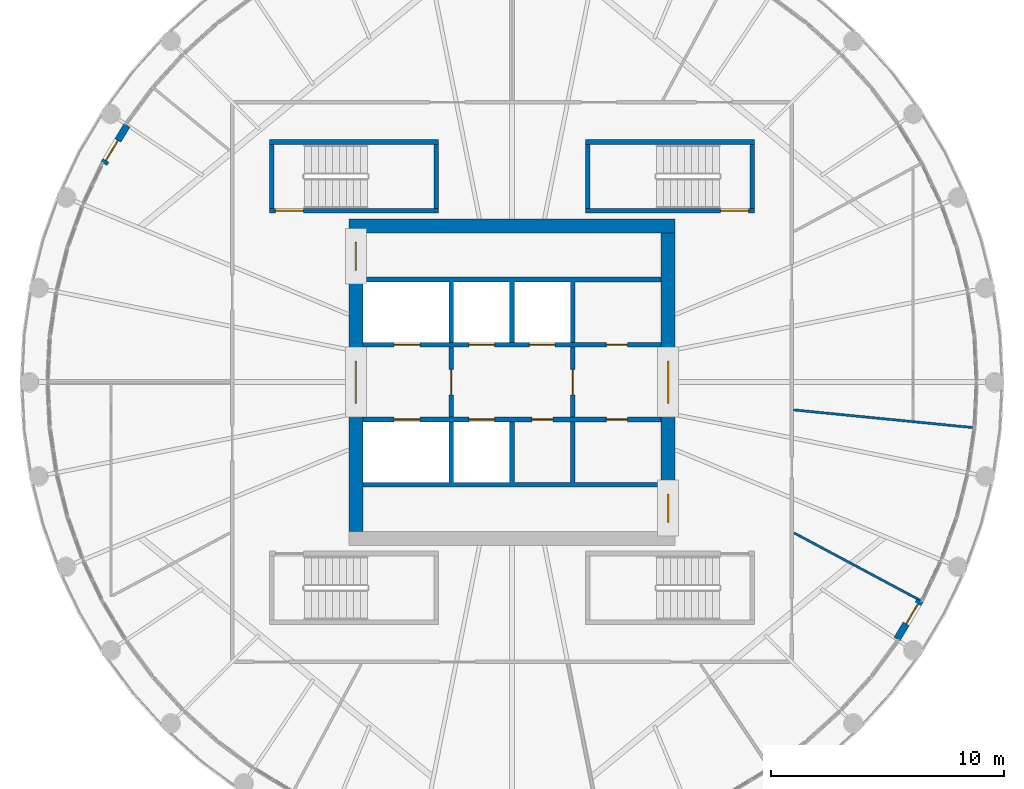
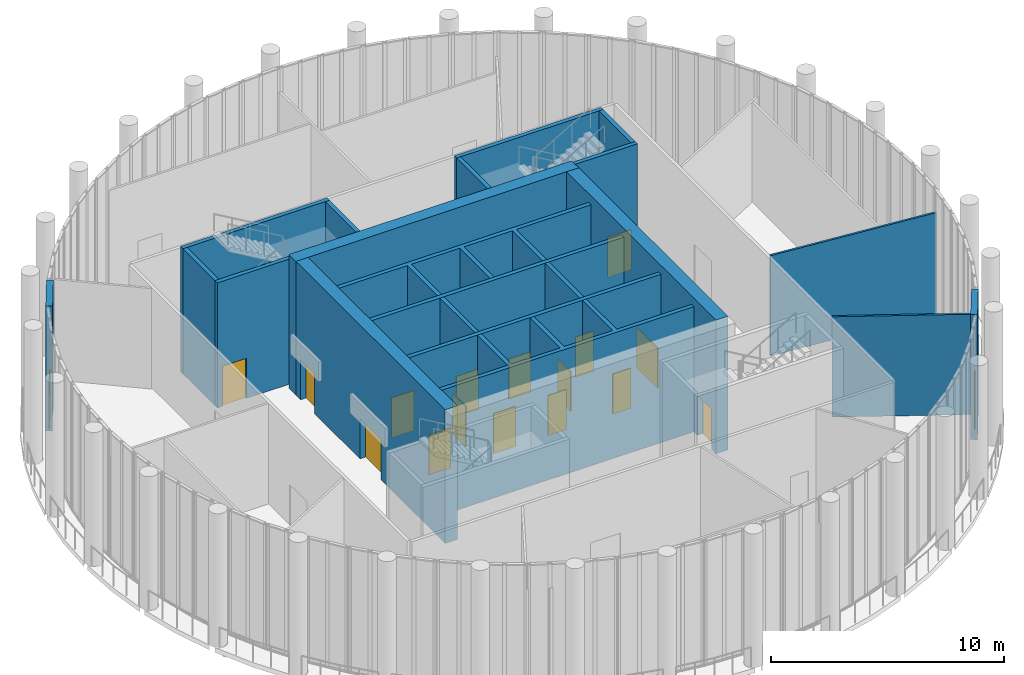
# One storey, part 16 of 21: 21 walls, 18 doors, 18 openings.
"""IFC4 building model written with IfcOpenShell, lengths in metres."""

from ifc_helpers import new_model, si_unit, direction, frame, frame_2d, origin, place, context, subcontext, project, spatial, polyline, rectangle, outline, extrude, material, layer, layer_set, type_object, element, fill, save


model = new_model("IFC4")

# Units and contexts
model_context = context("Model", 3, precision=1e-05, world=origin(), true_north=direction((0.0, 1.0)))
body_context = subcontext(model_context, "Body", "Model", "MODEL_VIEW")
ifc_project = project(units=[si_unit("LENGTHUNIT", "METRE"), si_unit("AREAUNIT", "SQUARE_METRE"), si_unit("VOLUMEUNIT", "CUBIC_METRE"), si_unit("PLANEANGLEUNIT", "RADIAN"), si_unit("MASSUNIT", "GRAM", prefix="KILO")], contexts=[model_context])

# Site, building, storey
site_placement = place(None, origin())
site = spatial("IfcSite", under=ifc_project, at=site_placement, CompositionType="ELEMENT")
building_placement = place(site_placement, origin())
building = spatial("IfcBuilding", under=site, at=building_placement, Name="Corvane Civic Tower", CompositionType="ELEMENT")
storey_placement = place(building_placement, frame((0.0, 0.0, 380.5)))
storey = spatial("IfcBuildingStorey", under=building, at=storey_placement, Name="L91", CompositionType="ELEMENT", Elevation=380.5)

# Wall
ifc_material_1 = material(Name="Concrete C40/50", Category="concrete")
ifc_layer_1 = layer(ifc_material_1, 0.60009765625)
ifc_layer_set_1 = layer_set([ifc_layer_1], Name="Concrete C40/50")
wall_type_1 = type_object("IfcWallType", Name="CORE WALL 600 C40/50", PredefinedType="SHEAR", material=ifc_layer_set_1)
wall_1_placement = place(storey_placement, frame((-7.0, 6.699951171875, 0.0), z_axis=(0.0, 0.0, 1.0), x_axis=(1.0, 0.0, 0.0)))
element("IfcWall", 1, at=wall_1_placement, inside=storey, type_object=wall_type_1, Name="W-L91-core-N", PredefinedType="SHEAR", context=body_context, shape_type="SweptSolid", body=[
    extrude(rectangle(XDim=14.0, YDim=0.60009765625, at=frame_2d((7.0, 0.0))), origin(), (0.0, 0.0, 1.0), 7.0),
])

# Wall, openings, doors
wall_2_placement = place(storey_placement, frame((6.699951171875, -6.39990234375, 0.0), z_axis=(0.0, 0.0, 1.0), x_axis=(0.0, 1.0, 0.0)))
wall_2 = element("IfcWall", 2, at=wall_2_placement, inside=storey, type_object=wall_type_1, Name="W-L91-core-E", PredefinedType="SHEAR", context=body_context, shape_type="SweptSolid", body=[
    extrude(rectangle(XDim=12.7998046875, YDim=0.60009765625, at=frame_2d((6.39990234375, 0.0))), origin(), (0.0, 0.0, 1.0), 7.0),
])
opening_1_placement = place(wall_2_placement, frame((5.5, 0.0, 0.0)))
opening_1 = element("IfcOpeningElement", 3, at=opening_1_placement, cuts=wall_2, Name="Opening L91.C11", PredefinedType="OPENING", context=body_context, shape_type="SweptSolid", body=[
    extrude(rectangle(XDim=1.800048828125, YDim=2.10009765625, at=frame_2d((0.89990234375, 1.050048828125))), frame((0.0, 0.31005859375, 0.0), z_axis=(0.0, -1.0, 0.0), x_axis=(1.0, 0.0, 0.0)), (0.0, 0.0, 1.0), 0.6201171875),
])
opening_2_placement = place(wall_2_placement, frame((0.39990234375, 0.0, 0.0)))
opening_2 = element("IfcOpeningElement", 4, at=opening_2_placement, cuts=wall_2, Name="Opening L91.C13", PredefinedType="OPENING", context=body_context, shape_type="SweptSolid", body=[
    extrude(rectangle(XDim=1.199951171875, YDim=2.10009765625, at=frame_2d((0.60009765625, 1.050048828125))), frame((0.0, 0.31005859375, 0.0), z_axis=(0.0, -1.0, 0.0), x_axis=(1.0, 0.0, 0.0)), (0.0, 0.0, 1.0), 0.6201171875),
])
ifc_material_2 = material(Name="Steel fire door leaf", Category="steel")
door_type_1 = type_object("IfcDoorType", Name="CR-DOOR-CORE-1800", OperationType="DOUBLE_DOOR_SINGLE_SWING", PredefinedType="DOOR", material=ifc_material_2)
door_1_placement = place(opening_1_placement, origin())
door_1 = element("IfcDoor", 5, at=door_1_placement, inside=storey, type_object=door_type_1, Name="L91 door", OperationType="DOUBLE_DOOR_SINGLE_SWING", OverallHeight=2.10009765625, OverallWidth=1.800048828125, PredefinedType="DOOR", context=body_context, shape_type="SweptSolid", body=[
    extrude(rectangle(XDim=1.800048828125, YDim=2.10009765625, at=frame_2d((0.89990234375, 1.050048828125))), frame((0.0, 0.02490234375, 0.0), z_axis=(0.0, -1.0, 0.0), x_axis=(1.0, 0.0, 0.0)), (0.0, 0.0, 1.0), 0.050048828125),
])
fill(opening_1, door_1)
door_2_placement = place(opening_2_placement, origin())
door_2 = element("IfcDoor", 6, at=door_2_placement, inside=storey, type_object=door_type_1, Name="L91 door", OperationType="DOUBLE_DOOR_SINGLE_SWING", OverallHeight=2.10009765625, OverallWidth=1.199951171875, PredefinedType="DOOR", context=body_context, shape_type="SweptSolid", body=[
    extrude(rectangle(XDim=1.199951171875, YDim=2.10009765625, at=frame_2d((0.60009765625, 1.050048828125))), frame((0.0, 0.02490234375, 0.0), z_axis=(0.0, -1.0, 0.0), x_axis=(1.0, 0.0, 0.0)), (0.0, 0.0, 1.0), 0.050048828125),
])
fill(opening_2, door_2)

wall_3_placement = place(storey_placement, frame((-6.699951171875, -6.39990234375, 0.0), z_axis=(0.0, 0.0, 1.0), x_axis=(0.0, 1.0, 0.0)))
wall_3 = element("IfcWall", 7, at=wall_3_placement, inside=storey, type_object=wall_type_1, Name="W-L91-core-W", PredefinedType="SHEAR", context=body_context, shape_type="SweptSolid", body=[
    extrude(rectangle(XDim=12.7998046875, YDim=0.60009765625, at=frame_2d((6.39990234375, 0.0))), origin(), (0.0, 0.0, 1.0), 7.0),
])
opening_3_placement = place(wall_3_placement, frame((5.5, 0.0, 0.0)))
opening_3 = element("IfcOpeningElement", 8, at=opening_3_placement, cuts=wall_3, Name="Opening L91.C10", PredefinedType="OPENING", context=body_context, shape_type="SweptSolid", body=[
    extrude(rectangle(XDim=1.800048828125, YDim=2.10009765625, at=frame_2d((0.89990234375, 1.050048828125))), frame((0.0, 0.31005859375, 0.0), z_axis=(0.0, -1.0, 0.0), x_axis=(1.0, 0.0, 0.0)), (0.0, 0.0, 1.0), 0.6201171875),
])
opening_4_placement = place(wall_3_placement, frame((11.199951171875, 0.0, 0.0)))
opening_4 = element("IfcOpeningElement", 9, at=opening_4_placement, cuts=wall_3, Name="Opening L91.C12", PredefinedType="OPENING", context=body_context, shape_type="SweptSolid", body=[
    extrude(rectangle(XDim=1.199951171875, YDim=2.10009765625, at=frame_2d((0.60009765625, 1.050048828125))), frame((0.0, 0.31005859375, 0.0), z_axis=(0.0, -1.0, 0.0), x_axis=(1.0, 0.0, 0.0)), (0.0, 0.0, 1.0), 0.6201171875),
])
door_3_placement = place(opening_3_placement, origin())
door_3 = element("IfcDoor", 10, at=door_3_placement, inside=storey, type_object=door_type_1, Name="L91 door", OperationType="DOUBLE_DOOR_SINGLE_SWING", OverallHeight=2.10009765625, OverallWidth=1.800048828125, PredefinedType="DOOR", context=body_context, shape_type="SweptSolid", body=[
    extrude(rectangle(XDim=1.800048828125, YDim=2.10009765625, at=frame_2d((0.89990234375, 1.050048828125))), frame((0.0, 0.02490234375, 0.0), z_axis=(0.0, -1.0, 0.0), x_axis=(1.0, 0.0, 0.0)), (0.0, 0.0, 1.0), 0.050048828125),
])
fill(opening_3, door_3)
door_4_placement = place(opening_4_placement, origin())
door_4 = element("IfcDoor", 11, at=door_4_placement, inside=storey, type_object=door_type_1, Name="L91 door", OperationType="DOUBLE_DOOR_SINGLE_SWING", OverallHeight=2.10009765625, OverallWidth=1.199951171875, PredefinedType="DOOR", context=body_context, shape_type="SweptSolid", body=[
    extrude(rectangle(XDim=1.199951171875, YDim=2.10009765625, at=frame_2d((0.60009765625, 1.050048828125))), frame((0.0, 0.02490234375, 0.0), z_axis=(0.0, -1.0, 0.0), x_axis=(1.0, 0.0, 0.0)), (0.0, 0.0, 1.0), 0.050048828125),
])
fill(opening_4, door_4)

ifc_material_3 = material(Name="Concrete C30/37", Category="concrete")
ifc_layer_2 = layer(ifc_material_3, 0.199951171875)
ifc_layer_set_2 = layer_set([ifc_layer_2], Name="Concrete C30/37")
wall_type_2 = type_object("IfcWallType", Name="CR-WALL-200", PredefinedType="PARTITIONING", material=ifc_layer_set_2)
wall_4_placement = place(storey_placement, frame((-6.39990234375, -1.60009765625, 0.0), z_axis=(0.0, 0.0, 1.0), x_axis=(1.0, 0.0, 0.0)))
wall_4 = element("IfcWall", 12, at=wall_4_placement, inside=storey, type_object=wall_type_2, Name="L91 lift shaft wall", PredefinedType="PARTITIONING", context=body_context, shape_type="SweptSolid", body=[
    extrude(rectangle(XDim=12.7998046875, YDim=0.199951171875, at=frame_2d((6.39990234375, 0.0))), origin(), (0.0, 0.0, 1.0), 6.550048828125),
])
opening_5_placement = place(wall_4_placement, frame((1.35009765625, 0.0, 0.0)))
opening_5 = element("IfcOpeningElement", 13, at=opening_5_placement, cuts=wall_4, Name="Opening LD", PredefinedType="OPENING", context=body_context, shape_type="SweptSolid", body=[
    extrude(rectangle(XDim=1.10009765625, YDim=2.10009765625, at=frame_2d((0.550048828125, 1.050048828125))), frame((0.0, 0.10986328125, 0.0), z_axis=(0.0, -1.0, 0.0), x_axis=(1.0, 0.0, 0.0)), (0.0, 0.0, 1.0), 0.219970703125),
])
opening_6_placement = place(wall_4_placement, frame((4.550048828125, 0.0, 0.0)))
opening_6 = element("IfcOpeningElement", 14, at=opening_6_placement, cuts=wall_4, Name="Opening LD", PredefinedType="OPENING", context=body_context, shape_type="SweptSolid", body=[
    extrude(rectangle(XDim=1.10009765625, YDim=2.10009765625, at=frame_2d((0.550048828125, 1.050048828125))), frame((0.0, 0.10986328125, 0.0), z_axis=(0.0, -1.0, 0.0), x_axis=(1.0, 0.0, 0.0)), (0.0, 0.0, 1.0), 0.219970703125),
])
opening_7_placement = place(wall_4_placement, frame((7.25, 0.0, 0.0)))
opening_7 = element("IfcOpeningElement", 15, at=opening_7_placement, cuts=wall_4, Name="Opening L91.C02", PredefinedType="OPENING", context=body_context, shape_type="SweptSolid", body=[
    extrude(rectangle(XDim=0.89990234375, YDim=2.10009765625, at=frame_2d((0.449951171875, 1.050048828125))), frame((0.0, 0.10986328125, 0.0), z_axis=(0.0, -1.0, 0.0), x_axis=(1.0, 0.0, 0.0)), (0.0, 0.0, 1.0), 0.219970703125),
])
opening_8_placement = place(wall_4_placement, frame((10.449951171875, 0.0, 0.0)))
opening_8 = element("IfcOpeningElement", 16, at=opening_8_placement, cuts=wall_4, Name="Opening L91.C03", PredefinedType="OPENING", context=body_context, shape_type="SweptSolid", body=[
    extrude(rectangle(XDim=0.89990234375, YDim=2.10009765625, at=frame_2d((0.449951171875, 1.050048828125))), frame((0.0, 0.10986328125, 0.0), z_axis=(0.0, -1.0, 0.0), x_axis=(1.0, 0.0, 0.0)), (0.0, 0.0, 1.0), 0.219970703125),
])
ifc_material_4 = material(Name="Steel fire door leaf", Category="steel")
door_type_2 = type_object("IfcDoorType", Name="CR-DOOR-900", OperationType="SINGLE_SWING_LEFT", PredefinedType="DOOR", material=ifc_material_4)
door_5_placement = place(opening_7_placement, origin())
door_5 = element("IfcDoor", 17, at=door_5_placement, inside=storey, type_object=door_type_2, Name="L91 door", OperationType="SINGLE_SWING_LEFT", OverallHeight=2.10009765625, OverallWidth=0.89990234375, PredefinedType="DOOR", context=body_context, shape_type="SweptSolid", body=[
    extrude(rectangle(XDim=0.89990234375, YDim=2.10009765625, at=frame_2d((0.449951171875, 1.050048828125))), frame((0.0, 0.02490234375, 0.0), z_axis=(0.0, -1.0, 0.0), x_axis=(1.0, 0.0, 0.0)), (0.0, 0.0, 1.0), 0.050048828125),
])
fill(opening_7, door_5)
door_6_placement = place(opening_8_placement, origin())
door_6 = element("IfcDoor", 18, at=door_6_placement, inside=storey, type_object=door_type_2, Name="L91 door", OperationType="SINGLE_SWING_LEFT", OverallHeight=2.10009765625, OverallWidth=0.89990234375, PredefinedType="DOOR", context=body_context, shape_type="SweptSolid", body=[
    extrude(rectangle(XDim=0.89990234375, YDim=2.10009765625, at=frame_2d((0.449951171875, 1.050048828125))), frame((0.0, 0.02490234375, 0.0), z_axis=(0.0, -1.0, 0.0), x_axis=(1.0, 0.0, 0.0)), (0.0, 0.0, 1.0), 0.050048828125),
])
fill(opening_8, door_6)
ifc_material_5 = material(Name="Stainless steel 316 door leaves", Category="steel")
door_type_3 = type_object("IfcDoorType", Name="LD", OperationType="DOUBLE_DOOR_SLIDING", PredefinedType="DOOR", material=ifc_material_5)
door_7_placement = place(opening_5_placement, origin())
door_7 = element("IfcDoor", 19, at=door_7_placement, inside=storey, type_object=door_type_3, Name="L91 landing door", OperationType="DOUBLE_DOOR_SLIDING", OverallHeight=2.10009765625, OverallWidth=1.10009765625, PredefinedType="DOOR", context=body_context, shape_type="SweptSolid", body=[
    extrude(rectangle(XDim=1.10009765625, YDim=2.10009765625, at=frame_2d((0.550048828125, 1.050048828125))), frame((0.0, 0.02490234375, 0.0), z_axis=(0.0, -1.0, 0.0), x_axis=(1.0, 0.0, 0.0)), (0.0, 0.0, 1.0), 0.050048828125),
])
fill(opening_5, door_7)
door_8_placement = place(opening_6_placement, origin())
door_8 = element("IfcDoor", 20, at=door_8_placement, inside=storey, type_object=door_type_3, Name="L91 landing door", OperationType="DOUBLE_DOOR_SLIDING", OverallHeight=2.10009765625, OverallWidth=1.10009765625, PredefinedType="DOOR", context=body_context, shape_type="SweptSolid", body=[
    extrude(rectangle(XDim=1.10009765625, YDim=2.10009765625, at=frame_2d((0.550048828125, 1.050048828125))), frame((0.0, 0.02490234375, 0.0), z_axis=(0.0, -1.0, 0.0), x_axis=(1.0, 0.0, 0.0)), (0.0, 0.0, 1.0), 0.050048828125),
])
fill(opening_6, door_8)

wall_5_placement = place(storey_placement, frame((-6.39990234375, 1.60009765625, 0.0), z_axis=(0.0, 0.0, 1.0), x_axis=(1.0, 0.0, 0.0)))
wall_5 = element("IfcWall", 21, at=wall_5_placement, inside=storey, type_object=wall_type_2, Name="L91 lift shaft wall", PredefinedType="PARTITIONING", context=body_context, shape_type="SweptSolid", body=[
    extrude(rectangle(XDim=12.7998046875, YDim=0.199951171875, at=frame_2d((6.39990234375, 0.0))), origin(), (0.0, 0.0, 1.0), 6.550048828125),
])
opening_9_placement = place(wall_5_placement, frame((1.35009765625, 0.0, 0.0)))
opening_9 = element("IfcOpeningElement", 22, at=opening_9_placement, cuts=wall_5, Name="Opening LD", PredefinedType="OPENING", context=body_context, shape_type="SweptSolid", body=[
    extrude(rectangle(XDim=1.10009765625, YDim=2.10009765625, at=frame_2d((0.550048828125, 1.050048828125))), frame((0.0, 0.10986328125, 0.0), z_axis=(0.0, -1.0, 0.0), x_axis=(1.0, 0.0, 0.0)), (0.0, 0.0, 1.0), 0.219970703125),
])
opening_10_placement = place(wall_5_placement, frame((4.550048828125, 0.0, 0.0)))
opening_10 = element("IfcOpeningElement", 23, at=opening_10_placement, cuts=wall_5, Name="Opening LD", PredefinedType="OPENING", context=body_context, shape_type="SweptSolid", body=[
    extrude(rectangle(XDim=1.10009765625, YDim=2.10009765625, at=frame_2d((0.550048828125, 1.050048828125))), frame((0.0, 0.10986328125, 0.0), z_axis=(0.0, -1.0, 0.0), x_axis=(1.0, 0.0, 0.0)), (0.0, 0.0, 1.0), 0.219970703125),
])
opening_11_placement = place(wall_5_placement, frame((7.14990234375, 0.0, 0.0)))
opening_11 = element("IfcOpeningElement", 24, at=opening_11_placement, cuts=wall_5, Name="Opening LD", PredefinedType="OPENING", context=body_context, shape_type="SweptSolid", body=[
    extrude(rectangle(XDim=1.10009765625, YDim=2.10009765625, at=frame_2d((0.550048828125, 1.050048828125))), frame((0.0, 0.10986328125, 0.0), z_axis=(0.0, -1.0, 0.0), x_axis=(1.0, 0.0, 0.0)), (0.0, 0.0, 1.0), 0.219970703125),
])
opening_12_placement = place(wall_5_placement, frame((10.449951171875, 0.0, 0.0)))
opening_12 = element("IfcOpeningElement", 25, at=opening_12_placement, cuts=wall_5, Name="Opening L91.C01", PredefinedType="OPENING", context=body_context, shape_type="SweptSolid", body=[
    extrude(rectangle(XDim=0.89990234375, YDim=2.10009765625, at=frame_2d((0.449951171875, 1.050048828125))), frame((0.0, 0.10986328125, 0.0), z_axis=(0.0, -1.0, 0.0), x_axis=(1.0, 0.0, 0.0)), (0.0, 0.0, 1.0), 0.219970703125),
])
door_9_placement = place(opening_12_placement, origin())
door_9 = element("IfcDoor", 26, at=door_9_placement, inside=storey, type_object=door_type_2, Name="L91 door", OperationType="SINGLE_SWING_LEFT", OverallHeight=2.10009765625, OverallWidth=0.89990234375, PredefinedType="DOOR", context=body_context, shape_type="SweptSolid", body=[
    extrude(rectangle(XDim=0.89990234375, YDim=2.10009765625, at=frame_2d((0.449951171875, 1.050048828125))), frame((0.0, 0.02490234375, 0.0), z_axis=(0.0, -1.0, 0.0), x_axis=(1.0, 0.0, 0.0)), (0.0, 0.0, 1.0), 0.050048828125),
])
fill(opening_12, door_9)
door_10_placement = place(opening_9_placement, origin())
door_10 = element("IfcDoor", 27, at=door_10_placement, inside=storey, type_object=door_type_3, Name="L91 landing door", OperationType="DOUBLE_DOOR_SLIDING", OverallHeight=2.10009765625, OverallWidth=1.10009765625, PredefinedType="DOOR", context=body_context, shape_type="SweptSolid", body=[
    extrude(rectangle(XDim=1.10009765625, YDim=2.10009765625, at=frame_2d((0.550048828125, 1.050048828125))), frame((0.0, 0.02490234375, 0.0), z_axis=(0.0, -1.0, 0.0), x_axis=(1.0, 0.0, 0.0)), (0.0, 0.0, 1.0), 0.050048828125),
])
fill(opening_9, door_10)
door_11_placement = place(opening_10_placement, origin())
door_11 = element("IfcDoor", 28, at=door_11_placement, inside=storey, type_object=door_type_3, Name="L91 landing door", OperationType="DOUBLE_DOOR_SLIDING", OverallHeight=2.10009765625, OverallWidth=1.10009765625, PredefinedType="DOOR", context=body_context, shape_type="SweptSolid", body=[
    extrude(rectangle(XDim=1.10009765625, YDim=2.10009765625, at=frame_2d((0.550048828125, 1.050048828125))), frame((0.0, 0.02490234375, 0.0), z_axis=(0.0, -1.0, 0.0), x_axis=(1.0, 0.0, 0.0)), (0.0, 0.0, 1.0), 0.050048828125),
])
fill(opening_10, door_11)
door_12_placement = place(opening_11_placement, origin())
door_12 = element("IfcDoor", 29, at=door_12_placement, inside=storey, type_object=door_type_3, Name="L91 landing door", OperationType="DOUBLE_DOOR_SLIDING", OverallHeight=2.10009765625, OverallWidth=1.10009765625, PredefinedType="DOOR", context=body_context, shape_type="SweptSolid", body=[
    extrude(rectangle(XDim=1.10009765625, YDim=2.10009765625, at=frame_2d((0.550048828125, 1.050048828125))), frame((0.0, 0.02490234375, 0.0), z_axis=(0.0, -1.0, 0.0), x_axis=(1.0, 0.0, 0.0)), (0.0, 0.0, 1.0), 0.050048828125),
])
fill(opening_11, door_12)

# Wall, opening, door
wall_6_placement = place(storey_placement, frame((-2.60009765625, -1.5, 0.0), z_axis=(0.0, 0.0, 1.0), x_axis=(0.0, 1.0, 0.0)))
wall_6 = element("IfcWall", 30, at=wall_6_placement, inside=storey, type_object=wall_type_2, Name="L91 firefighting lobby wall", PredefinedType="PARTITIONING", context=body_context, shape_type="SweptSolid", body=[
    extrude(rectangle(XDim=3.0, YDim=0.199951171875, at=frame_2d((1.5, 0.0))), origin(), (0.0, 0.0, 1.0), 6.550048828125),
])
opening_13_placement = place(wall_6_placement, frame((0.949951171875, 0.0, 0.0)))
opening_13 = element("IfcOpeningElement", 31, at=opening_13_placement, cuts=wall_6, Name="Opening L91.C08", PredefinedType="OPENING", context=body_context, shape_type="SweptSolid", body=[
    extrude(rectangle(XDim=1.10009765625, YDim=2.10009765625, at=frame_2d((0.550048828125, 1.050048828125))), frame((0.0, 0.10986328125, 0.0), z_axis=(0.0, -1.0, 0.0), x_axis=(1.0, 0.0, 0.0)), (0.0, 0.0, 1.0), 0.219970703125),
])
ifc_material_6 = material(Name="Steel fire door leaf", Category="steel")
door_type_4 = type_object("IfcDoorType", Name="CR-DOOR-FFL-1100", OperationType="SINGLE_SWING_LEFT", PredefinedType="DOOR", material=ifc_material_6)
door_13_placement = place(opening_13_placement, origin())
door_13 = element("IfcDoor", 32, at=door_13_placement, inside=storey, type_object=door_type_4, Name="L91 lobby door", OperationType="SINGLE_SWING_LEFT", OverallHeight=2.10009765625, OverallWidth=1.10009765625, PredefinedType="DOOR", context=body_context, shape_type="SweptSolid", body=[
    extrude(rectangle(XDim=1.10009765625, YDim=2.10009765625, at=frame_2d((0.550048828125, 1.050048828125))), frame((0.0, 0.02490234375, 0.0), z_axis=(0.0, -1.0, 0.0), x_axis=(1.0, 0.0, 0.0)), (0.0, 0.0, 1.0), 0.050048828125),
])
fill(opening_13, door_13)

wall_7_placement = place(storey_placement, frame((2.60009765625, -1.5, 0.0), z_axis=(0.0, 0.0, 1.0), x_axis=(0.0, 1.0, 0.0)))
wall_7 = element("IfcWall", 33, at=wall_7_placement, inside=storey, type_object=wall_type_2, Name="L91 firefighting lobby wall", PredefinedType="PARTITIONING", context=body_context, shape_type="SweptSolid", body=[
    extrude(rectangle(XDim=3.0, YDim=0.199951171875, at=frame_2d((1.5, 0.0))), origin(), (0.0, 0.0, 1.0), 6.550048828125),
])
opening_14_placement = place(wall_7_placement, frame((0.949951171875, 0.0, 0.0)))
opening_14 = element("IfcOpeningElement", 34, at=opening_14_placement, cuts=wall_7, Name="Opening L91.C09", PredefinedType="OPENING", context=body_context, shape_type="SweptSolid", body=[
    extrude(rectangle(XDim=1.10009765625, YDim=2.10009765625, at=frame_2d((0.550048828125, 1.050048828125))), frame((0.0, 0.10986328125, 0.0), z_axis=(0.0, -1.0, 0.0), x_axis=(1.0, 0.0, 0.0)), (0.0, 0.0, 1.0), 0.219970703125),
])
door_14_placement = place(opening_14_placement, origin())
door_14 = element("IfcDoor", 35, at=door_14_placement, inside=storey, type_object=door_type_4, Name="L91 lobby door", OperationType="SINGLE_SWING_LEFT", OverallHeight=2.10009765625, OverallWidth=1.10009765625, PredefinedType="DOOR", context=body_context, shape_type="SweptSolid", body=[
    extrude(rectangle(XDim=1.10009765625, YDim=2.10009765625, at=frame_2d((0.550048828125, 1.050048828125))), frame((0.0, 0.02490234375, 0.0), z_axis=(0.0, -1.0, 0.0), x_axis=(1.0, 0.0, 0.0)), (0.0, 0.0, 1.0), 0.050048828125),
])
fill(opening_14, door_14)

# Walls
wall_8_placement = place(storey_placement, origin())
element("IfcWall", 36, at=wall_8_placement, inside=storey, type_object=wall_type_2, Name="L91 core partition wall", PredefinedType="PARTITIONING", context=body_context, shape_type="SweptSolid", body=[
    extrude(outline(polyline([(-6.39990234375, -4.300048828125), (-2.699951171875, -4.300048828125), (-2.699951171875, -1.699951171875), (-2.5, -1.699951171875), (-2.5, -4.300048828125), (-0.10009765625, -4.300048828125), (-0.10009765625, -1.699951171875), (0.10009765625, -1.699951171875), (0.10009765625, -4.300048828125), (2.5, -4.300048828125), (2.5, -1.699951171875), (2.699951171875, -1.699951171875), (2.699951171875, -4.300048828125), (6.39990234375, -4.300048828125), (6.39990234375, -4.5), (-6.39990234375, -4.5), (-6.39990234375, -4.300048828125)])), origin(), (0.0, 0.0, 1.0), 6.550048828125),
])
wall_9_placement = place(storey_placement, origin())
element("IfcWall", 37, at=wall_9_placement, inside=storey, type_object=wall_type_2, Name="L91 core partition wall", PredefinedType="PARTITIONING", context=body_context, shape_type="SweptSolid", body=[
    extrude(outline(polyline([(-2.699951171875, 4.300048828125), (-6.39990234375, 4.300048828125), (-6.39990234375, 4.5), (6.39990234375, 4.5), (6.39990234375, 4.300048828125), (2.699951171875, 4.300048828125), (2.699951171875, 1.699951171875), (2.5, 1.699951171875), (2.5, 4.300048828125), (0.10009765625, 4.300048828125), (0.10009765625, 1.699951171875), (-0.10009765625, 1.699951171875), (-0.10009765625, 4.300048828125), (-2.5, 4.300048828125), (-2.5, 1.699951171875), (-2.699951171875, 1.699951171875), (-2.699951171875, 4.300048828125)])), origin(), (0.0, 0.0, 1.0), 6.550048828125),
])

# Wall, opening, door
ifc_material_7 = material(Name="Terracotta cladding", Category="masonry")
ifc_layer_3 = layer(ifc_material_7, 0.300048828125)
ifc_layer_set_3 = layer_set([ifc_layer_3], Name="Terracotta cladding")
wall_type_3 = type_object("IfcWallType", Name="PODIUM-W-DRUMDOOR-300", PredefinedType="SOLIDWALL", material=ifc_layer_set_3)
wall_10_placement = place(storey_placement, frame((-16.510986328125, 11.01708984375, 0.0), z_axis=(0.0, 0.0, 1.0), x_axis=(-0.514122250405, -0.857716918125, 0.0)))
wall_10 = element("IfcWall", 38, at=wall_10_placement, inside=storey, type_object=wall_type_3, Name="Lookout door bay wall 11", PredefinedType="SOLIDWALL", context=body_context, shape_type="SweptSolid", body=[
    extrude(rectangle(XDim=1.9228515625, YDim=0.300048828125, at=frame_2d((0.96142578125, 0.0))), origin(), (0.0, 0.0, 1.0), 6.550048828125),
])
opening_15_placement = place(wall_10_placement, frame((0.76123046875, 0.0, 0.0)))
opening_15 = element("IfcOpeningElement", 39, at=opening_15_placement, cuts=wall_10, Name="Opening ED-L91-11", PredefinedType="OPENING", context=body_context, shape_type="SweptSolid", body=[
    extrude(rectangle(XDim=1.0, YDim=2.39990234375, at=frame_2d((0.5, 1.199951171875))), frame((0.0, 0.159912109375, 0.0), z_axis=(0.0, -1.0, 0.0), x_axis=(1.0, 0.0, 0.0)), (0.0, 0.0, 1.0), 0.320068359375),
])
ifc_material_8 = material(Name="Anodised aluminium and glass", Category="aluminium")
door_type_5 = type_object("IfcDoorType", Name="CROWN-D-TERRACE-1000", OperationType="SINGLE_SWING_LEFT", PredefinedType="DOOR", material=ifc_material_8)
door_15_placement = place(opening_15_placement, origin())
door_15 = element("IfcDoor", 40, at=door_15_placement, inside=storey, type_object=door_type_5, Name="Lookout terrace door 11", OperationType="SINGLE_SWING_LEFT", OverallHeight=2.39990234375, OverallWidth=1.0, PredefinedType="DOOR", context=body_context, shape_type="SweptSolid", body=[
    extrude(rectangle(XDim=1.0, YDim=2.39990234375, at=frame_2d((0.5, 1.199951171875))), frame((0.0, 0.02490234375, 0.0), z_axis=(0.0, -1.0, 0.0), x_axis=(1.0, 0.0, 0.0)), (0.0, 0.0, 1.0), 0.050048828125),
])
fill(opening_15, door_15)

wall_11_placement = place(storey_placement, frame((16.510986328125, -11.01708984375, 0.0), z_axis=(0.0, 0.0, 1.0), x_axis=(0.514122250405, 0.857716918125, 0.0)))
wall_11 = element("IfcWall", 41, at=wall_11_placement, inside=storey, type_object=wall_type_3, Name="Lookout door bay wall 43", PredefinedType="SOLIDWALL", context=body_context, shape_type="SweptSolid", body=[
    extrude(rectangle(XDim=1.9228515625, YDim=0.300048828125, at=frame_2d((0.96142578125, 0.0))), origin(), (0.0, 0.0, 1.0), 6.550048828125),
])
opening_16_placement = place(wall_11_placement, frame((0.76123046875, 0.0, 0.0)))
opening_16 = element("IfcOpeningElement", 42, at=opening_16_placement, cuts=wall_11, Name="Opening ED-L91-43", PredefinedType="OPENING", context=body_context, shape_type="SweptSolid", body=[
    extrude(rectangle(XDim=1.0, YDim=2.39990234375, at=frame_2d((0.5, 1.199951171875))), frame((0.0, 0.159912109375, 0.0), z_axis=(0.0, -1.0, 0.0), x_axis=(1.0, 0.0, 0.0)), (0.0, 0.0, 1.0), 0.320068359375),
])
door_16_placement = place(opening_16_placement, origin())
door_16 = element("IfcDoor", 43, at=door_16_placement, inside=storey, type_object=door_type_5, Name="Lookout terrace door 43", OperationType="SINGLE_SWING_RIGHT", OverallHeight=2.39990234375, OverallWidth=1.0, PredefinedType="DOOR", context=body_context, shape_type="SweptSolid", body=[
    extrude(rectangle(XDim=1.0, YDim=2.39990234375, at=frame_2d((0.5, 1.199951171875))), frame((0.0, 0.02490234375, 0.0), z_axis=(0.0, -1.0, 0.0), x_axis=(1.0, 0.0, 0.0)), (0.0, 0.0, 1.0), 0.050048828125),
])
fill(opening_16, door_16)

# Walls
ifc_material_9 = material(Name="Plasterboard")
ifc_layer_4 = layer(ifc_material_9, 0.10009765625)
ifc_layer_set_4 = layer_set([ifc_layer_4], Name="Plasterboard")
wall_type_4 = type_object("IfcWallType", Name="Partition 100 plasterboard on studs", PredefinedType="PARTITIONING", material=ifc_layer_set_4)
wall_12_placement = place(storey_placement, frame((12.0986328125, -6.466796875, 0.0), z_axis=(0.0, 0.0, 1.0), x_axis=(0.881911169036, -0.47141562334, 0.0)))
element("IfcWall", 44, at=wall_12_placement, inside=storey, type_object=wall_type_4, Name="Partition L91.008", PredefinedType="PARTITIONING", context=body_context, shape_type="SweptSolid", body=[
    extrude(rectangle(XDim=6.231689453125, YDim=0.10009765625, at=frame_2d((3.11572265625, 0.0))), origin(), (0.0, 0.0, 1.0), 5.25),
])
wall_13_placement = place(storey_placement, frame((12.079833984375, -1.189697265625, 0.0), z_axis=(0.0, 0.0, 1.0), x_axis=(0.995182475834, -0.098039990789, 0.0)))
element("IfcWall", 45, at=wall_13_placement, inside=storey, type_object=wall_type_4, Name="Partition L91.011", PredefinedType="PARTITIONING", context=body_context, shape_type="SweptSolid", body=[
    extrude(rectangle(XDim=7.811767578125, YDim=0.10009765625, at=frame_2d((3.90576171875, 0.0))), origin(), (0.0, 0.0, 1.0), 5.25),
])

# Wall, opening, door
ifc_material_10 = material(Name="Concrete C50/60", Category="concrete")
ifc_layer_5 = layer(ifc_material_10, 0.199951171875)
ifc_layer_set_5 = layer_set([ifc_layer_5], Name="Concrete C50/60")
wall_type_5 = type_object("IfcWallType", Name="ST-WALL-200", PredefinedType="SHEAR", material=ifc_layer_set_5)
wall_14_placement = place(storey_placement, frame((-10.39990234375, 7.35009765625, 0.0), z_axis=(0.0, 0.0, 1.0), x_axis=(1.0, 0.0, 0.0)))
wall_14 = element("IfcWall", 46, at=wall_14_placement, inside=storey, type_object=wall_type_5, Name="L91 stair enclosure wall", PredefinedType="SHEAR", context=body_context, shape_type="SweptSolid", body=[
    extrude(rectangle(XDim=7.25, YDim=0.199951171875, at=frame_2d((3.625, 0.0))), origin(), (0.0, 0.0, 1.0), 6.550048828125),
])
opening_17_placement = place(wall_14_placement, frame((0.25, 0.0, 0.0)))
opening_17 = element("IfcOpeningElement", 47, at=opening_17_placement, cuts=wall_14, Name="Opening L91.C05", PredefinedType="OPENING", context=body_context, shape_type="SweptSolid", body=[
    extrude(rectangle(XDim=1.199951171875, YDim=2.10009765625, at=frame_2d((0.60009765625, 1.050048828125))), frame((0.0, 0.10986328125, 0.0), z_axis=(0.0, -1.0, 0.0), x_axis=(1.0, 0.0, 0.0)), (0.0, 0.0, 1.0), 0.219970703125),
])
ifc_material_11 = material(Name="Steel fire door leaf", Category="steel")
door_type_6 = type_object("IfcDoorType", Name="ST-DOOR-1200", OperationType="SINGLE_SWING_RIGHT", PredefinedType="DOOR", material=ifc_material_11)
door_17_placement = place(opening_17_placement, origin())
door_17 = element("IfcDoor", 48, at=door_17_placement, inside=storey, type_object=door_type_6, Name="L91 stair door", OperationType="SINGLE_SWING_RIGHT", OverallHeight=2.10009765625, OverallWidth=1.199951171875, PredefinedType="DOOR", context=body_context, shape_type="SweptSolid", body=[
    extrude(rectangle(XDim=1.199951171875, YDim=2.10009765625, at=frame_2d((0.60009765625, 1.050048828125))), frame((0.0, 0.02490234375, 0.0), z_axis=(0.0, -1.0, 0.0), x_axis=(1.0, 0.0, 0.0)), (0.0, 0.0, 1.0), 0.050048828125),
])
fill(opening_17, door_17)

wall_15_placement = place(storey_placement, frame((3.14990234375, 7.35009765625, 0.0), z_axis=(0.0, 0.0, 1.0), x_axis=(1.0, 0.0, 0.0)))
wall_15 = element("IfcWall", 49, at=wall_15_placement, inside=storey, type_object=wall_type_5, Name="L91 stair enclosure wall", PredefinedType="SHEAR", context=body_context, shape_type="SweptSolid", body=[
    extrude(rectangle(XDim=7.25, YDim=0.199951171875, at=frame_2d((3.625, 0.0))), origin(), (0.0, 0.0, 1.0), 6.550048828125),
])
opening_18_placement = place(wall_15_placement, frame((5.800048828125, 0.0, 0.0)))
opening_18 = element("IfcOpeningElement", 50, at=opening_18_placement, cuts=wall_15, Name="Opening L91.C04", PredefinedType="OPENING", context=body_context, shape_type="SweptSolid", body=[
    extrude(rectangle(XDim=1.199951171875, YDim=2.10009765625, at=frame_2d((0.60009765625, 1.050048828125))), frame((0.0, 0.10986328125, 0.0), z_axis=(0.0, -1.0, 0.0), x_axis=(1.0, 0.0, 0.0)), (0.0, 0.0, 1.0), 0.219970703125),
])
door_18_placement = place(opening_18_placement, origin())
door_18 = element("IfcDoor", 51, at=door_18_placement, inside=storey, type_object=door_type_6, Name="L91 stair door", OperationType="SINGLE_SWING_RIGHT", OverallHeight=2.10009765625, OverallWidth=1.199951171875, PredefinedType="DOOR", context=body_context, shape_type="SweptSolid", body=[
    extrude(rectangle(XDim=1.199951171875, YDim=2.10009765625, at=frame_2d((0.60009765625, 1.050048828125))), frame((0.0, 0.02490234375, 0.0), z_axis=(0.0, -1.0, 0.0), x_axis=(1.0, 0.0, 0.0)), (0.0, 0.0, 1.0), 0.050048828125),
])
fill(opening_18, door_18)

# Walls
wall_16_placement = place(storey_placement, origin())
element("IfcWall", 52, at=wall_16_placement, inside=storey, type_object=wall_type_5, Name="L91 stair enclosure wall", PredefinedType="SHEAR", context=body_context, shape_type="SweptSolid", body=[
    extrude(outline(polyline([(-3.14990234375, 10.199951171875), (-10.39990234375, 10.199951171875), (-10.39990234375, 10.39990234375), (-3.14990234375, 10.39990234375), (-3.14990234375, 10.199951171875)])), origin(), (0.0, 0.0, 1.0), 6.550048828125),
])
wall_17_placement = place(storey_placement, origin())
element("IfcWall", 53, at=wall_17_placement, inside=storey, type_object=wall_type_5, Name="L91 stair enclosure wall", PredefinedType="SHEAR", context=body_context, shape_type="SweptSolid", body=[
    extrude(outline(polyline([(10.39990234375, 10.199951171875), (3.14990234375, 10.199951171875), (3.14990234375, 10.39990234375), (10.39990234375, 10.39990234375), (10.39990234375, 10.199951171875)])), origin(), (0.0, 0.0, 1.0), 6.550048828125),
])
wall_18_placement = place(storey_placement, origin())
element("IfcWall", 54, at=wall_18_placement, inside=storey, type_object=wall_type_5, Name="L91 stair enclosure wall", PredefinedType="SHEAR", context=body_context, shape_type="SweptSolid", body=[
    extrude(outline(polyline([(-3.14990234375, 7.449951171875), (-3.35009765625, 7.449951171875), (-3.35009765625, 10.199951171875), (-3.14990234375, 10.199951171875), (-3.14990234375, 7.449951171875)])), origin(), (0.0, 0.0, 1.0), 6.550048828125),
])
wall_19_placement = place(storey_placement, origin())
element("IfcWall", 55, at=wall_19_placement, inside=storey, type_object=wall_type_5, Name="L91 stair enclosure wall", PredefinedType="SHEAR", context=body_context, shape_type="SweptSolid", body=[
    extrude(outline(polyline([(3.35009765625, 7.449951171875), (3.14990234375, 7.449951171875), (3.14990234375, 10.199951171875), (3.35009765625, 10.199951171875), (3.35009765625, 7.449951171875)])), origin(), (0.0, 0.0, 1.0), 6.550048828125),
])
wall_20_placement = place(storey_placement, origin())
element("IfcWall", 56, at=wall_20_placement, inside=storey, type_object=wall_type_5, Name="L91 stair enclosure wall", PredefinedType="SHEAR", context=body_context, shape_type="SweptSolid", body=[
    extrude(outline(polyline([(-10.199951171875, 7.449951171875), (-10.39990234375, 7.449951171875), (-10.39990234375, 10.199951171875), (-10.199951171875, 10.199951171875), (-10.199951171875, 7.449951171875)])), origin(), (0.0, 0.0, 1.0), 6.550048828125),
])
wall_21_placement = place(storey_placement, origin())
element("IfcWall", 57, at=wall_21_placement, inside=storey, type_object=wall_type_5, Name="L91 stair enclosure wall", PredefinedType="SHEAR", context=body_context, shape_type="SweptSolid", body=[
    extrude(outline(polyline([(10.39990234375, 7.449951171875), (10.199951171875, 7.449951171875), (10.199951171875, 10.199951171875), (10.39990234375, 10.199951171875), (10.39990234375, 7.449951171875)])), origin(), (0.0, 0.0, 1.0), 6.550048828125),
])

save(model, "model.ifc")
